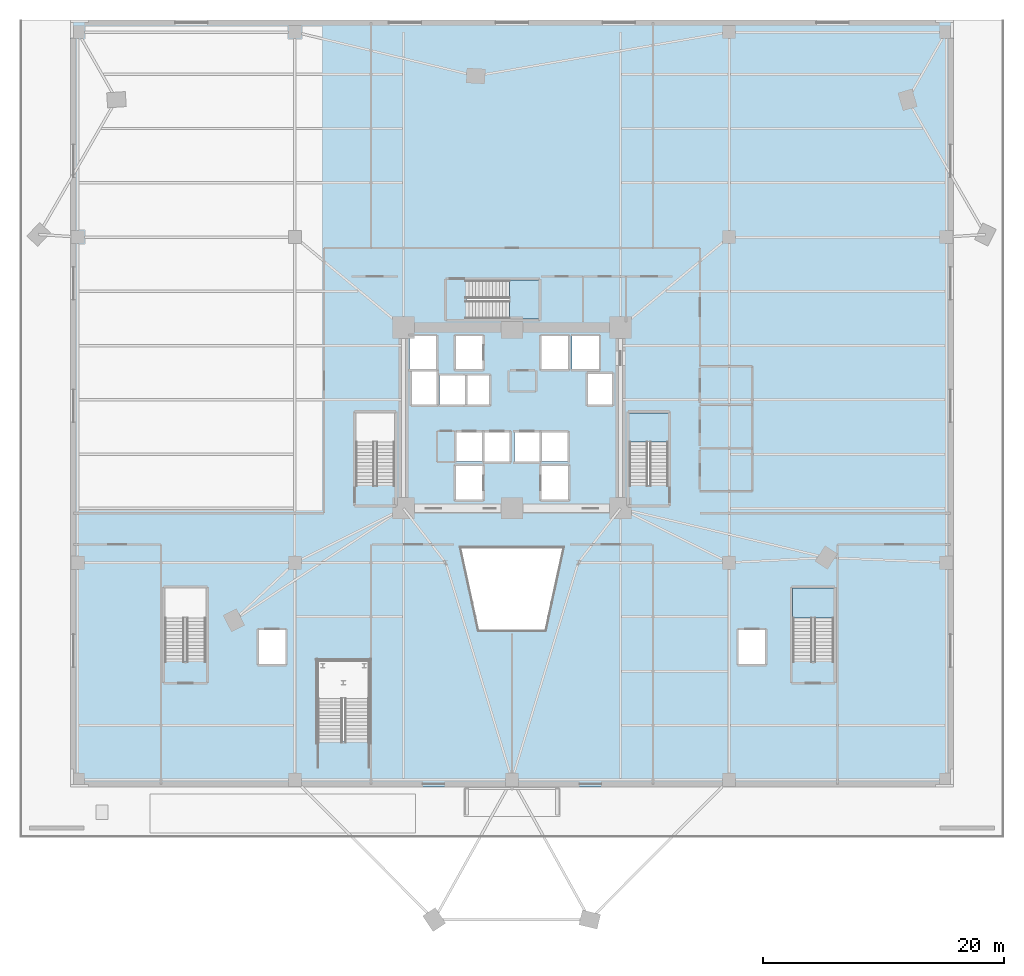
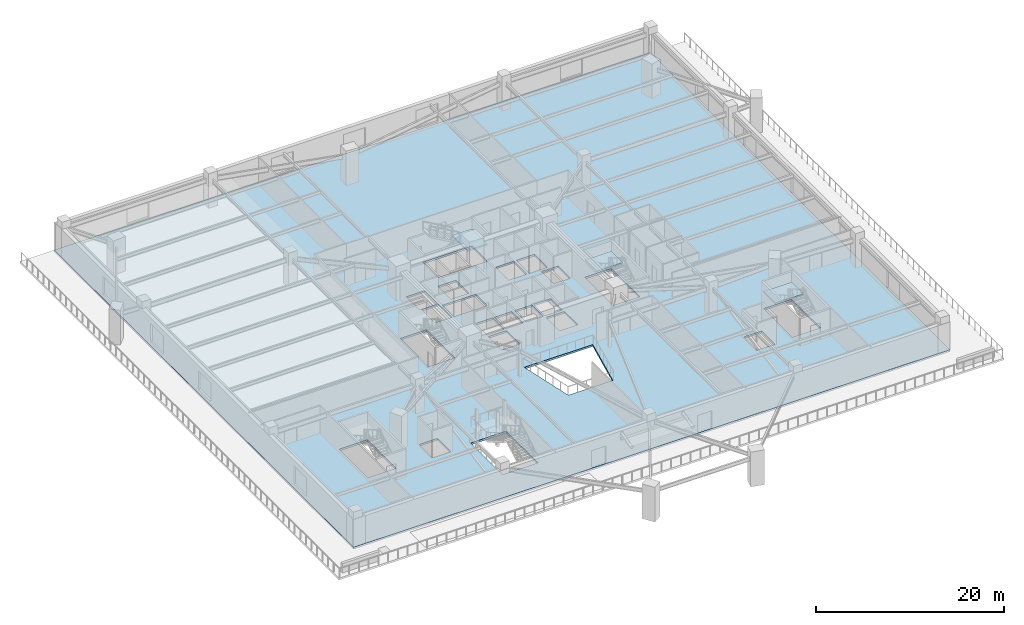
# One storey, part 5 of 19: 4 slabs, 3 elements without a shape of their own.
"""IFC4 building model written with IfcOpenShell, lengths in metres."""

from ifc_helpers import new_model, si_unit, direction, frame, origin, place, context, subcontext, project, spatial, polyline, outline, extrude, material, layer, layer_set, type_object, element, aggregate, save


model = new_model("IFC4")

# Units and contexts
model_context = context("Model", 3, precision=1e-05, world=origin(), true_north=direction((0.0, 1.0)))
body_context = subcontext(model_context, "Body", "Model", "MODEL_VIEW")
ifc_project = project(units=[si_unit("LENGTHUNIT", "METRE"), si_unit("AREAUNIT", "SQUARE_METRE"), si_unit("VOLUMEUNIT", "CUBIC_METRE"), si_unit("PLANEANGLEUNIT", "RADIAN"), si_unit("MASSUNIT", "GRAM", prefix="KILO")], contexts=[model_context])

# Site, building, storey
site_placement = place(None, origin())
site = spatial("IfcSite", under=ifc_project, at=site_placement, CompositionType="ELEMENT")
building_placement = place(site_placement, origin())
building = spatial("IfcBuilding", under=site, at=building_placement, Name="Liaohun Quay Tower", CompositionType="ELEMENT")
storey_placement = place(building_placement, frame((0.0, 0.0, 18.89990234375)))
storey = spatial("IfcBuildingStorey", under=building, at=storey_placement, Name="L05", CompositionType="ELEMENT", Elevation=18.89990234375)

# Stair, slab
ifc_material = material(Name="Concrete C45", Category="concrete")
stair_type_1 = type_object("IfcStairType", Name="STR-CORE-TALL", PredefinedType="HALF_TURN_STAIR", material=ifc_material)
stair_1_placement = place(storey_placement, origin())
stair_1 = element("IfcStair", 1, at=stair_1_placement, inside=storey, type_object=stair_type_1, Name="L05 Smokeproof Core Exit Stair ST-2", PredefinedType="HALF_TURN_STAIR")
ifc_layer_1 = layer(ifc_material, 0.199951171875, Name="Concrete C45", Category="concrete")
ifc_layer_set_1 = layer_set([ifc_layer_1], Name="Concrete C45")
slab_type_1 = type_object("IfcSlabType", Name="SLB-LND-200", PredefinedType="LANDING", material=ifc_layer_set_1)
slab_1_placement = place(storey_placement, frame((0.0, 0.0, 2.050048828125)))
slab_1 = element("IfcSlab", 2, at=slab_1_placement, type_object=slab_type_1, Name="ST-2 landing 1", PredefinedType="LANDING", context=body_context, shape_type="SweptSolid", body=[
    extrude(outline(polyline([(72.9599609375, 51.989990234375), (72.9599609375, 54.419921875), (69.719970703125, 54.419921875), (69.719970703125, 51.989990234375), (72.9599609375, 51.989990234375)])), origin(), (0.0, 0.0, 1.0), 0.199951171875),
])
aggregate(stair_1, [slab_1])

stair_2_placement = place(storey_placement, origin())
stair_2 = element("IfcStair", 3, at=stair_2_placement, inside=storey, type_object=stair_type_1, Name="L05 Smokeproof Core Exit Stair ST-3", PredefinedType="HALF_TURN_STAIR")
slab_2_placement = place(storey_placement, frame((0.0, 0.0, 2.050048828125)))
slab_2 = element("IfcSlab", 4, at=slab_2_placement, type_object=slab_type_1, Name="ST-3 landing 1", PredefinedType="LANDING", context=body_context, shape_type="SweptSolid", body=[
    extrude(outline(polyline([(59.7900390625, 62.199951171875), (62.219970703125, 62.199951171875), (62.219970703125, 65.43994140625), (59.7900390625, 65.43994140625), (59.7900390625, 62.199951171875)])), origin(), (0.0, 0.0, 1.0), 0.199951171875),
])
aggregate(stair_2, [slab_2])

stair_type_2 = type_object("IfcStairType", Name="STR-POD-EXIT", PredefinedType="TWO_STRAIGHT_RUN_STAIR", material=ifc_material)
stair_3_placement = place(storey_placement, origin())
stair_3 = element("IfcStair", 5, at=stair_3_placement, inside=storey, type_object=stair_type_2, Name="L05 Podium Smokeproof Exit Stair ST-P2", PredefinedType="TWO_STRAIGHT_RUN_STAIR")
slab_3_placement = place(storey_placement, frame((0.0, 0.0, 2.050048828125)))
slab_3 = element("IfcSlab", 6, at=slab_3_placement, type_object=slab_type_1, Name="ST-P2 landing 1", PredefinedType="LANDING", context=body_context, shape_type="SweptSolid", body=[
    extrude(outline(polyline([(86.699951171875, 37.389892578125), (86.699951171875, 39.89990234375), (83.260009765625, 39.89990234375), (83.260009765625, 37.389892578125), (86.699951171875, 37.389892578125)])), origin(), (0.0, 0.0, 1.0), 0.199951171875),
])
aggregate(stair_3, [slab_3])

# Slab
ifc_layer_2 = layer(ifc_material, 0.25, Name="Concrete C45", Category="concrete")
ifc_layer_set_2 = layer_set([ifc_layer_2], Name="Concrete C45")
slab_type_2 = type_object("IfcSlabType", Name="SLB-POD-250", PredefinedType="FLOOR", material=ifc_layer_set_2)
slab_4_placement = place(storey_placement, frame((0.0, 0.0, -0.25)))
element("IfcSlab", 7, at=slab_4_placement, inside=storey, type_object=slab_type_2, Name="L05 Structural Floor Slab", PredefinedType="FLOOR", context=body_context, shape_type="SweptSolid", body=[
    extrude(outline(polyline([(23.39990234375, 23.39990234375), (96.60009765625, 23.39990234375), (96.60009765625, 87.0), (23.39990234375, 87.0), (23.39990234375, 23.39990234375)]), holes=[polyline([(48.199951171875, 33.89990234375), (43.860107421875, 33.89990234375), (43.860107421875, 27.159912109375), (48.199951171875, 27.159912109375), (48.199951171875, 33.89990234375)]), polyline([(41.2099609375, 33.590087890625), (41.2099609375, 36.409912109375), (38.989990234375, 36.409912109375), (38.989990234375, 33.590087890625), (41.2099609375, 33.590087890625)]), polyline([(34.639892578125, 39.89990234375), (31.199951171875, 39.89990234375), (31.199951171875, 33.81005859375), (34.639892578125, 33.81005859375), (34.639892578125, 39.89990234375)]), polyline([(55.340087890625, 47.2099609375), (57.56005859375, 47.2099609375), (57.56005859375, 50.030029296875), (55.340087890625, 50.030029296875), (55.340087890625, 47.2099609375)]), polyline([(50.280029296875, 48.409912109375), (50.280029296875, 54.419921875), (47.0400390625, 54.419921875), (47.0400390625, 48.409912109375), (50.280029296875, 48.409912109375)]), polyline([(57.510009765625, 50.389892578125), (57.510009765625, 52.81005859375), (55.389892578125, 52.81005859375), (55.389892578125, 50.389892578125), (57.510009765625, 50.389892578125)]), polyline([(57.68994140625, 50.389892578125), (59.81005859375, 50.389892578125), (59.81005859375, 52.81005859375), (57.68994140625, 52.81005859375), (57.68994140625, 50.389892578125)]), polyline([(53.989990234375, 55.090087890625), (58.110107421875, 55.090087890625), (58.110107421875, 57.510009765625), (53.989990234375, 57.510009765625), (53.989990234375, 55.090087890625)]), polyline([(51.7099609375, 55.090087890625), (53.760009765625, 55.090087890625), (53.760009765625, 57.909912109375), (51.7099609375, 57.909912109375), (51.7099609375, 55.090087890625)]), polyline([(51.489990234375, 58.0400390625), (53.7099609375, 58.0400390625), (53.7099609375, 60.7900390625), (51.489990234375, 60.7900390625), (51.489990234375, 58.0400390625)]), polyline([(57.56005859375, 58.0400390625), (57.56005859375, 60.7900390625), (55.340087890625, 60.7900390625), (55.340087890625, 58.0400390625), (57.56005859375, 58.0400390625)]), polyline([(78.7900390625, 33.590087890625), (81.010009765625, 33.590087890625), (81.010009765625, 36.409912109375), (78.7900390625, 36.409912109375), (78.7900390625, 33.590087890625)]), polyline([(86.699951171875, 33.81005859375), (86.699951171875, 39.89990234375), (83.260009765625, 39.89990234375), (83.260009765625, 33.81005859375), (86.699951171875, 33.81005859375)]), polyline([(62.72998046875, 36.39990234375), (64.199951171875, 43.199951171875), (55.800048828125, 43.199951171875), (57.27001953125, 36.39990234375), (62.72998046875, 36.39990234375)]), polyline([(62.43994140625, 47.2099609375), (64.659912109375, 47.2099609375), (64.659912109375, 50.030029296875), (62.43994140625, 50.030029296875), (62.43994140625, 47.2099609375)]), polyline([(72.9599609375, 48.409912109375), (72.9599609375, 54.419921875), (69.719970703125, 54.419921875), (69.719970703125, 48.409912109375), (72.9599609375, 48.409912109375)]), polyline([(62.31005859375, 50.389892578125), (62.31005859375, 52.81005859375), (60.18994140625, 52.81005859375), (60.18994140625, 50.389892578125), (62.31005859375, 50.389892578125)]), polyline([(62.489990234375, 50.389892578125), (64.610107421875, 50.389892578125), (64.610107421875, 52.81005859375), (62.489990234375, 52.81005859375), (62.489990234375, 50.389892578125)]), polyline([(66.2900390625, 55.090087890625), (68.2900390625, 55.090087890625), (68.2900390625, 57.659912109375), (66.2900390625, 57.659912109375), (66.2900390625, 55.090087890625)]), polyline([(64.659912109375, 58.0400390625), (64.659912109375, 60.7900390625), (62.43994140625, 60.7900390625), (62.43994140625, 58.0400390625), (64.659912109375, 58.0400390625)]), polyline([(64.989990234375, 58.0400390625), (67.2099609375, 58.0400390625), (67.2099609375, 60.7900390625), (64.989990234375, 60.7900390625), (64.989990234375, 58.0400390625)]), polyline([(56.2099609375, 62.199951171875), (62.219970703125, 62.199951171875), (62.219970703125, 65.43994140625), (56.2099609375, 65.43994140625), (56.2099609375, 62.199951171875)])]), origin(), (0.0, 0.0, 1.0), 0.25),
])

save(model, "model.ifc")
